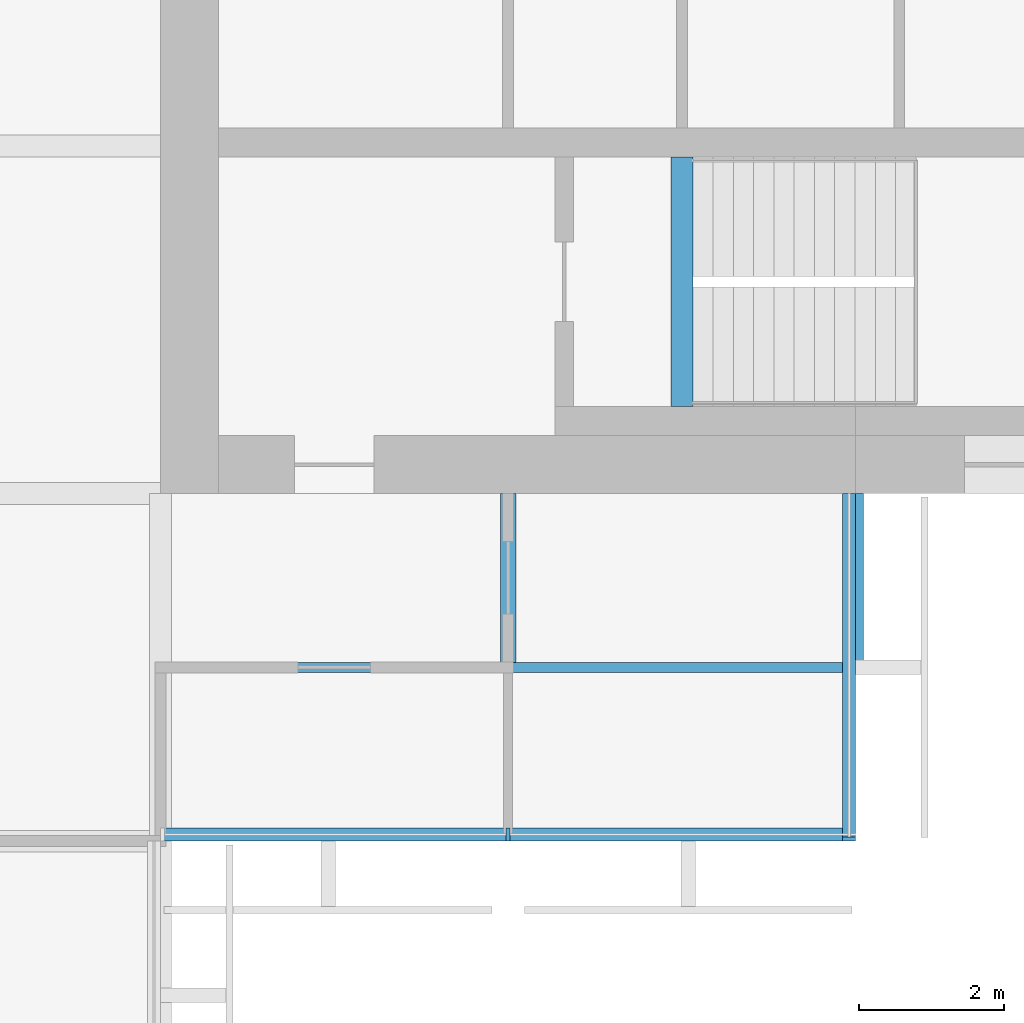
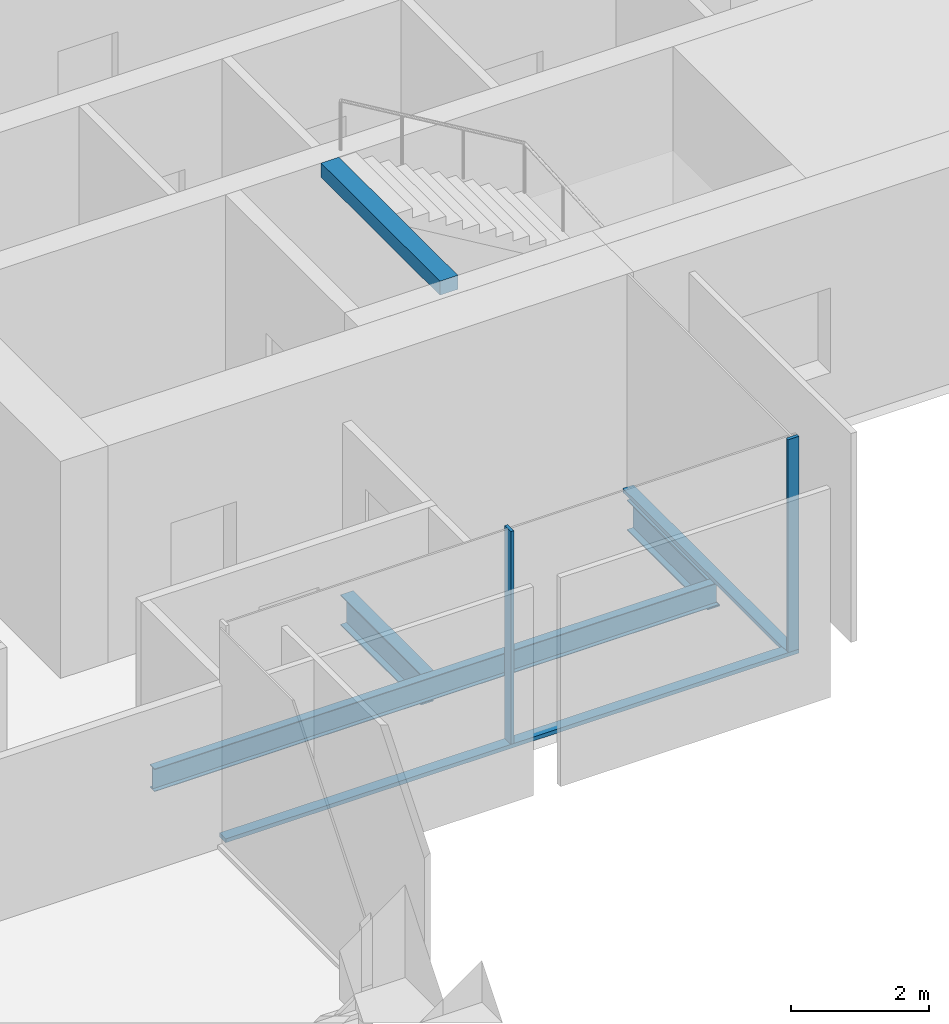
# One storey, part 4 of 14: 4 beams, 4 members, 2 elements without a shape of their own.
"""IFC4 building model written with IfcOpenShell, lengths in metres."""

from ifc_helpers import new_model, si_unit, direction, frame, origin, origin_2d, place, context, subcontext, project, spatial, rectangle, i_section, extrude, material, material_profile, profile_set, type_object, element, aggregate, save


model = new_model("IFC4")

# Units and contexts
model_context = context("Model", 3, precision=1e-05, world=origin(), true_north=direction((0.0, 1.0)))
body_context = subcontext(model_context, "Body", "Model", "MODEL_VIEW")
ifc_project = project(units=[si_unit("LENGTHUNIT", "METRE"), si_unit("AREAUNIT", "SQUARE_METRE"), si_unit("VOLUMEUNIT", "CUBIC_METRE"), si_unit("PLANEANGLEUNIT", "RADIAN"), si_unit("MASSUNIT", "GRAM", prefix="KILO")], contexts=[model_context])

# Site, building, storey
site_placement = place(None, origin())
site = spatial("IfcSite", under=ifc_project, at=site_placement, CompositionType="ELEMENT")
building_placement = place(site_placement, origin())
building = spatial("IfcBuilding", under=site, at=building_placement, Name="Baori Bourse Tower", CompositionType="ELEMENT")
storey_placement = place(building_placement, frame((0.0, 0.0, 209.199951171875)))
storey = spatial("IfcBuildingStorey", under=building, at=storey_placement, Name="L45", CompositionType="ELEMENT", Elevation=209.199951171875)

# Curtain wall, member
ifc_material_1 = material(Name="Pale anodised aluminium", Category="aluminium")
curtain_wall_type = type_object("IfcCurtainWallType", Name="CW2 Curtain wall", PredefinedType="NOTDEFINED", material=ifc_material_1)
curtain_wall_1_placement = place(storey_placement, origin())
curtain_wall_1 = element("IfcCurtainWall", 1, at=curtain_wall_1_placement, inside=storey, type_object=curtain_wall_type, Name="Curtain wall CW2 L45 17", PredefinedType="NOTDEFINED")
ifc_material_2 = material(Name="Pale anodised aluminium", Category="aluminium")
ifc_material_profile_1 = material_profile(ifc_material_2, rectangle(XDim=0.179931640625, YDim=0.054931640625, at=origin_2d()), Name="Mullion 55x180")
ifc_profile_set_1 = profile_set([ifc_material_profile_1], Name="Pale anodised aluminium")
member_type_1 = type_object("IfcMemberType", Name="CW2 Curtain wall mullion", PredefinedType="MULLION", material=ifc_profile_set_1)
member_1_placement = place(storey_placement, frame((43.199951171875, 4.889892578125, 0.070068359375), z_axis=(0.0, 0.0, 1.0), x_axis=(0.0, 1.0, 0.0)))
member_1 = element("IfcMember", 2, at=member_1_placement, type_object=member_type_1, Name="Curtain wall CW2 mullion", PredefinedType="MULLION", context=body_context, shape_type="SweptSolid", body=[
    extrude(rectangle(XDim=0.179931640625, YDim=0.054931640625, at=origin_2d()), origin(), (0.0, 0.0, 1.0), 3.77001953125),
])

curtain_wall_2_placement = place(storey_placement, origin())
curtain_wall_2 = element("IfcCurtainWall", 3, at=curtain_wall_2_placement, inside=storey, type_object=curtain_wall_type, Name="Curtain wall CW2 L45 18", PredefinedType="NOTDEFINED")
member_2_placement = place(storey_placement, frame((47.909912109375, 4.827392578125, 0.070068359375), z_axis=(0.0, 0.0, 1.0), x_axis=(-1.0, 0.0, 0.0)))
member_2 = element("IfcMember", 4, at=member_2_placement, type_object=member_type_1, Name="Curtain wall CW2 mullion", PredefinedType="MULLION", context=body_context, shape_type="SweptSolid", body=[
    extrude(rectangle(XDim=0.179931640625, YDim=0.054931640625, at=origin_2d()), origin(), (0.0, 0.0, 1.0), 3.77001953125),
])

# Member
ifc_material_3 = material(Name="Pale anodised aluminium", Category="aluminium")
ifc_material_profile_2 = material_profile(ifc_material_3, rectangle(XDim=0.179931640625, YDim=0.070068359375, at=origin_2d()), Name="Transom 70x180")
ifc_profile_set_2 = profile_set([ifc_material_profile_2], Name="Pale anodised aluminium")
member_type_2 = type_object("IfcMemberType", Name="CW2 Curtain wall transom", PredefinedType="USERDEFINED", material=ifc_profile_set_2)
member_3_placement = place(storey_placement, frame((38.39990234375, 4.889892578125, 0.03515625), z_axis=(1.0, 0.0, 0.0), x_axis=(0.0, 1.0, 0.0)))
member_3 = element("IfcMember", 5, at=member_3_placement, type_object=member_type_2, Name="Curtain wall CW2 sill rail", ObjectType="TRANSOM", PredefinedType="USERDEFINED", context=body_context, shape_type="SweptSolid", body=[
    extrude(rectangle(XDim=0.179931640625, YDim=0.070068359375, at=origin_2d()), origin(), (0.0, 0.0, 1.0), 9.60009765625),
])

aggregate(curtain_wall_1, [member_3, member_1])

member_4_placement = place(storey_placement, frame((47.909912109375, 4.800048828125, 0.03515625), z_axis=(0.0, 1.0, 0.0), x_axis=(-1.0, 0.0, 0.0)))
member_4 = element("IfcMember", 6, at=member_4_placement, type_object=member_type_2, Name="Curtain wall CW2 sill rail", ObjectType="TRANSOM", PredefinedType="USERDEFINED", context=body_context, shape_type="SweptSolid", body=[
    extrude(rectangle(XDim=0.179931640625, YDim=0.070068359375, at=origin_2d()), origin(), (0.0, 0.0, 1.0), 4.800048828125),
])

aggregate(curtain_wall_2, [member_4, member_2])

# Beams
ifc_material_4 = material(Name="Steel A992 Gr 50", Category="steel")
ifc_material_profile_3 = material_profile(ifc_material_4, i_section(OverallWidth=0.21240234375, OverallDepth=0.54345703125, WebThickness=0.01318359375, FlangeThickness=0.021240234375, at=origin_2d()), Name="W21x83")
ifc_profile_set_3 = profile_set([ifc_material_profile_3], Name="Steel A992 Gr 50")
beam_type_1 = type_object("IfcBeamType", Name="Core bracket W21x83", PredefinedType="BEAM", material=ifc_profile_set_3)
for number, where, z_axis, x_axis, name in (
    (7, (43.199951171875, 7.270263671875, -0.431640625), (0.0, 1.0, 0.0), (-1.0, 0.0, 0.0), "Core bracket L45"),
    (8, (48.0, 7.270263671875, -0.431640625), (0.0, 1.0, 0.0), (-1.0, 0.0, 0.0), "Core bracket L45"),
):
    element("IfcBeam", number, at=place(storey_placement, frame(where, z_axis=z_axis, x_axis=x_axis)), inside=storey, type_object=beam_type_1, Name=name, PredefinedType="BEAM", context=body_context, shape_type="SweptSolid", body=[
        extrude(i_section(OverallWidth=0.21240234375, OverallDepth=0.54345703125, WebThickness=0.01318359375, FlangeThickness=0.021240234375, at=origin_2d()), origin(), (0.0, 0.0, 1.0), 2.329833984375),
    ])
ifc_material_5 = material(Name="Concrete f'c 50 MPa", Category="concrete")
ifc_material_profile_4 = material_profile(ifc_material_5, rectangle(XDim=0.300048828125, YDim=0.25, at=origin_2d()), Name="RC 300x250")
ifc_profile_set_4 = profile_set([ifc_material_profile_4], Name="Concrete f'c 50 MPa")
beam_type_2 = type_object("IfcBeamType", Name="Stair nib beam RC 300x250", PredefinedType="BEAM", material=ifc_profile_set_4)
beam_1_placement = place(storey_placement, frame((45.60009765625, 10.800048828125, 3.715087890625), z_axis=(0.0, 1.0, 0.0), x_axis=(-1.0, 0.0, 0.0)))
element("IfcBeam", 9, at=beam_1_placement, inside=storey, type_object=beam_type_2, Name="Stair EA nib beam L46", PredefinedType="BEAM", context=body_context, shape_type="SweptSolid", body=[
    extrude(rectangle(XDim=0.300048828125, YDim=0.25, at=origin_2d()), origin(), (0.0, 0.0, 1.0), 3.449951171875),
])
ifc_material_6 = material(Name="Steel A992 Gr 50", Category="steel")
ifc_material_profile_5 = material_profile(ifc_material_6, i_section(OverallWidth=0.140380859375, OverallDepth=0.40380859375, WebThickness=0.007080078125, FlangeThickness=0.01123046875, at=origin_2d()), Name="W16x31")
ifc_profile_set_5 = profile_set([ifc_material_profile_5], Name="Steel A992 Gr 50")
beam_type_3 = type_object("IfcBeamType", Name="Trimmer beam W16x31", PredefinedType="BEAM", material=ifc_profile_set_5)
beam_2_placement = place(storey_placement, frame((38.552490234375, 7.199951171875, -0.36181640625), z_axis=(1.0, 0.0, 0.0), x_axis=(0.0, 1.0, 0.0)))
element("IfcBeam", 10, at=beam_2_placement, inside=storey, type_object=beam_type_3, Name="Trimmer beam L45", PredefinedType="BEAM", context=body_context, shape_type="SweptSolid", body=[
    extrude(i_section(OverallWidth=0.140380859375, OverallDepth=0.40380859375, WebThickness=0.007080078125, FlangeThickness=0.01123046875, at=origin_2d()), origin(), (0.0, 0.0, 1.0), 9.447509765625),
])

save(model, "model.ifc")
